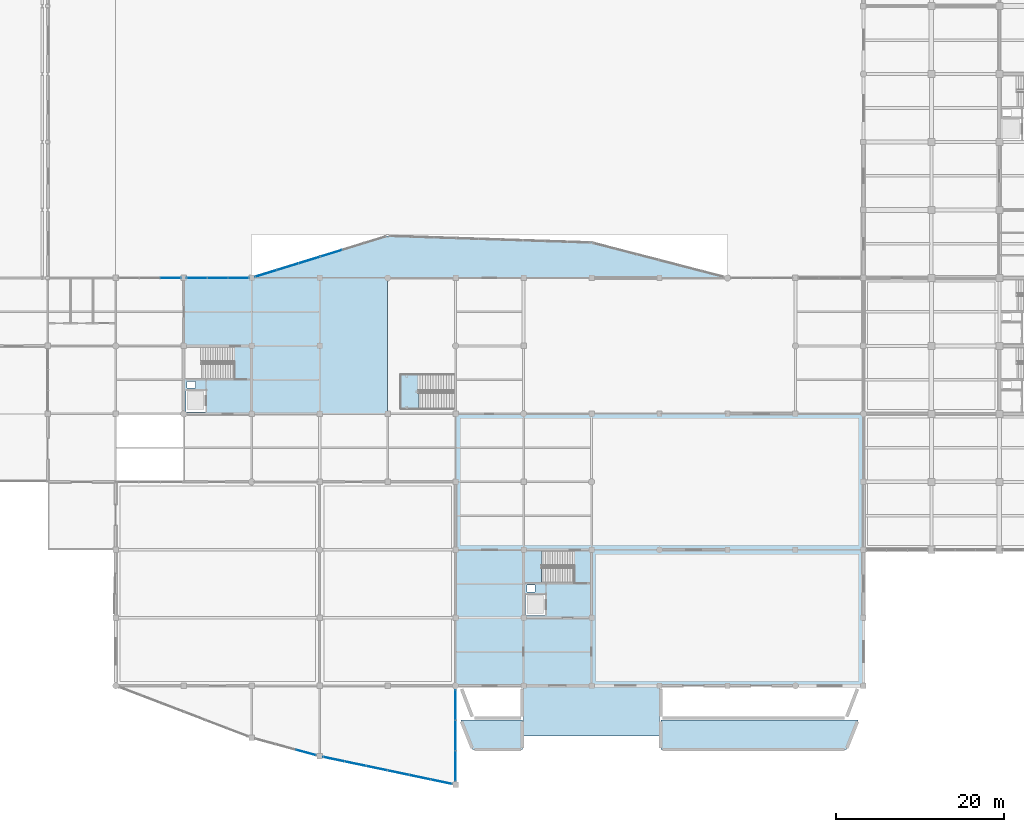
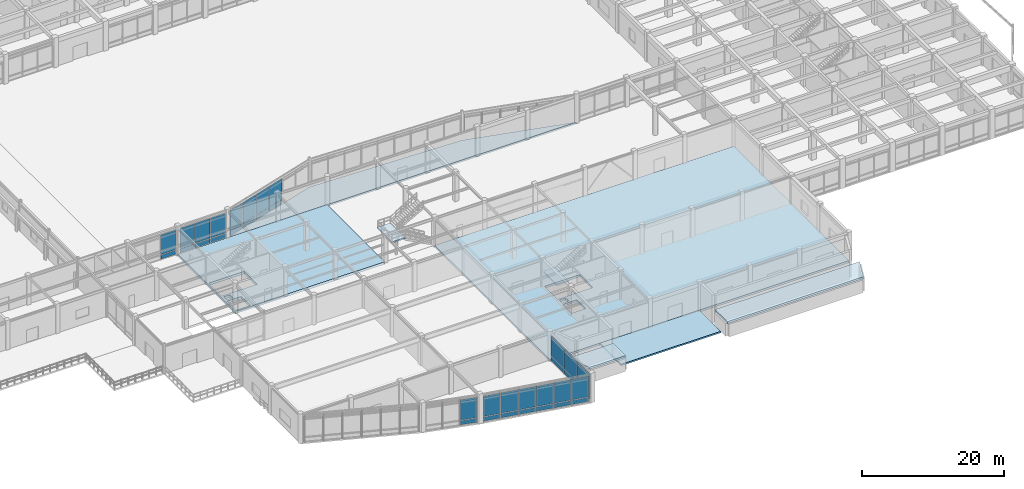
# One storey, part 51 of 99: 36 plates, 8 slabs, 10 elements without a shape of their own.
"""IFC4 building model written with IfcOpenShell, lengths in metres."""

from ifc_helpers import new_model, si_unit, direction, frame, origin, origin_2d, place, context, subcontext, project, spatial, polyline, rectangle, outline, extrude, material, layer, layer_set, type_object, element, aggregate, save


model = new_model("IFC4")

# Units and contexts
model_context = context("Model", 3, precision=1e-05, world=origin(), true_north=direction((0.0, 1.0)))
body_context = subcontext(model_context, "Body", "Model", "MODEL_VIEW")
ifc_project = project(units=[si_unit("LENGTHUNIT", "METRE"), si_unit("AREAUNIT", "SQUARE_METRE"), si_unit("VOLUMEUNIT", "CUBIC_METRE"), si_unit("PLANEANGLEUNIT", "RADIAN"), si_unit("MASSUNIT", "GRAM", prefix="KILO")], contexts=[model_context])

# Site, building, storey
site_placement = place(None, origin())
site = spatial("IfcSite", under=ifc_project, at=site_placement, CompositionType="ELEMENT")
building_placement = place(site_placement, origin())
building = spatial("IfcBuilding", under=site, at=building_placement, Name="Vaudrelin Polytechnic", CompositionType="ELEMENT")
storey_placement = place(building_placement, origin())
storey = spatial("IfcBuildingStorey", under=building, at=storey_placement, Name="L00", CompositionType="ELEMENT", Elevation=0.0)

# Curtain wall, plate
ifc_material_1 = material(Name="Thermally broken anodised aluminium AA 6063-T6 and low-e triple glazing", Category="aluminium")
ifc_layer_1 = layer(ifc_material_1, 0.199951171875)
ifc_layer_set_1 = layer_set([ifc_layer_1], Name="Thermally broken anodised aluminium AA 6063-T6 and low-e triple glazing")
curtain_wall_type = type_object("IfcCurtainWallType", Name="CW-CW-WG", PredefinedType="USERDEFINED", material=ifc_layer_set_1)
curtain_wall_1_placement = place(storey_placement, origin())
curtain_wall_1 = element("IfcCurtainWall", 1, at=curtain_wall_1_placement, inside=storey, type_object=curtain_wall_type, Name="Curtain wall L00 CT_S_00", ObjectType="CURTAIN WALL", PredefinedType="USERDEFINED")
ifc_material_2 = material(Name="Insulated ceramic-frit spandrel glass panel", Category="glass")
ifc_layer_2 = layer(ifc_material_2, 0.052001953125)
ifc_layer_set_2 = layer_set([ifc_layer_2], Name="Insulated ceramic-frit spandrel glass panel")
plate_type_1 = type_object("IfcPlateType", Name="PLT-GLZ-SPAND", PredefinedType="CURTAIN_PANEL", material=ifc_layer_set_2)
plate_1_placement = place(storey_placement, frame((47.03466796875, 48.60009765625, 0.08984375), z_axis=(0.0, 0.0, 1.0), x_axis=(1.0, 0.0, 0.0)))
plate_1 = element("IfcPlate", 2, at=plate_1_placement, type_object=plate_type_1, Name="CT_S_00 spandrel panel 3", PredefinedType="CURTAIN_PANEL", context=body_context, shape_type="SweptSolid", body=[
    extrude(rectangle(XDim=2.384765625, YDim=0.052001953125, at=origin_2d()), origin(), (0.0, 0.0, 1.0), 0.699951171875),
])

# Curtain wall, plates
curtain_wall_2_placement = place(storey_placement, origin())
curtain_wall_2 = element("IfcCurtainWall", 3, at=curtain_wall_2_placement, inside=storey, type_object=curtain_wall_type, Name="Curtain wall L00 CT_S_01", ObjectType="CURTAIN WALL", PredefinedType="USERDEFINED")
plate_2_placement = place(storey_placement, frame((50.165283203125, 48.60009765625, 0.08984375), z_axis=(0.0, 0.0, 1.0), x_axis=(1.0, 0.0, 0.0)))
plate_2 = element("IfcPlate", 4, at=plate_2_placement, type_object=plate_type_1, Name="CT_S_01 spandrel panel 1", PredefinedType="CURTAIN_PANEL", context=body_context, shape_type="SweptSolid", body=[
    extrude(rectangle(XDim=2.384765625, YDim=0.052001953125, at=origin_2d()), origin(), (0.0, 0.0, 1.0), 0.699951171875),
])
plate_3_placement = place(storey_placement, frame((52.64990234375, 48.60009765625, 0.08984375), z_axis=(0.0, 0.0, 1.0), x_axis=(1.0, 0.0, 0.0)))
plate_3 = element("IfcPlate", 5, at=plate_3_placement, type_object=plate_type_1, Name="CT_S_01 spandrel panel 2", PredefinedType="CURTAIN_PANEL", context=body_context, shape_type="SweptSolid", body=[
    extrude(rectangle(XDim=2.384765625, YDim=0.052001953125, at=origin_2d()), origin(), (0.0, 0.0, 1.0), 0.699951171875),
])
plate_4_placement = place(storey_placement, frame((55.134765625, 48.60009765625, 0.08984375), z_axis=(0.0, 0.0, 1.0), x_axis=(1.0, 0.0, 0.0)))
plate_4 = element("IfcPlate", 6, at=plate_4_placement, type_object=plate_type_1, Name="CT_S_01 spandrel panel 3", PredefinedType="CURTAIN_PANEL", context=body_context, shape_type="SweptSolid", body=[
    extrude(rectangle(XDim=2.384765625, YDim=0.052001953125, at=origin_2d()), origin(), (0.0, 0.0, 1.0), 0.699951171875),
])

# Curtain wall, plate
curtain_wall_3_placement = place(storey_placement, origin())
curtain_wall_3 = element("IfcCurtainWall", 7, at=curtain_wall_3_placement, inside=storey, type_object=curtain_wall_type, Name="Curtain wall L00 V2P_2_0", ObjectType="CURTAIN WALL", PredefinedType="USERDEFINED")
plate_5_placement = place(storey_placement, frame((63.1787109375, -7.959716796875, 0.08984375), z_axis=(0.0, 0.0, 1.0), x_axis=(0.965042039381, -0.26209513965, 0.0)))
plate_5 = element("IfcPlate", 8, at=plate_5_placement, type_object=plate_type_1, Name="V2P_2_0 spandrel panel 3", PredefinedType="CURTAIN_PANEL", context=body_context, shape_type="SweptSolid", body=[
    extrude(rectangle(XDim=2.41650390625, YDim=0.052001953125, at=origin_2d()), origin(), (0.0, 0.0, 1.0), 0.699951171875),
])

# Curtain wall, plates
curtain_wall_4_placement = place(storey_placement, origin())
curtain_wall_4 = element("IfcCurtainWall", 9, at=curtain_wall_4_placement, inside=storey, type_object=curtain_wall_type, Name="Curtain wall L00 V2P_3_0", ObjectType="CURTAIN WALL", PredefinedType="USERDEFINED")
plate_6_placement = place(storey_placement, frame((66.490234375, -8.754638671875, 0.08984375), z_axis=(0.0, 0.0, 1.0), x_axis=(0.978678517459, -0.205398051265, 0.0)))
plate_6 = element("IfcPlate", 10, at=plate_6_placement, type_object=plate_type_1, Name="V2P_3_0 spandrel panel 1", PredefinedType="CURTAIN_PANEL", context=body_context, shape_type="SweptSolid", body=[
    extrude(rectangle(XDim=2.519775390625, YDim=0.052001953125, at=origin_2d()), origin(), (0.0, 0.0, 1.0), 0.699951171875),
])
plate_7_placement = place(storey_placement, frame((69.05419921875, -9.292724609375, 0.08984375), z_axis=(0.0, 0.0, 1.0), x_axis=(0.978678517459, -0.205398051265, 0.0)))
plate_7 = element("IfcPlate", 11, at=plate_7_placement, type_object=plate_type_1, Name="V2P_3_0 spandrel panel 2", PredefinedType="CURTAIN_PANEL", context=body_context, shape_type="SweptSolid", body=[
    extrude(rectangle(XDim=2.519775390625, YDim=0.052001953125, at=origin_2d()), origin(), (0.0, 0.0, 1.0), 0.699951171875),
])
plate_8_placement = place(storey_placement, frame((71.617919921875, -9.830810546875, 0.08984375), z_axis=(0.0, 0.0, 1.0), x_axis=(0.978678517459, -0.205398051265, 0.0)))
plate_8 = element("IfcPlate", 12, at=plate_8_placement, type_object=plate_type_1, Name="V2P_3_0 spandrel panel 3", PredefinedType="CURTAIN_PANEL", context=body_context, shape_type="SweptSolid", body=[
    extrude(rectangle(XDim=2.519775390625, YDim=0.052001953125, at=origin_2d()), origin(), (0.0, 0.0, 1.0), 0.699951171875),
])

curtain_wall_5_placement = place(storey_placement, origin())
curtain_wall_5 = element("IfcCurtainWall", 13, at=curtain_wall_5_placement, inside=storey, type_object=curtain_wall_type, Name="Curtain wall L00 V2P_3_1", ObjectType="CURTAIN WALL", PredefinedType="USERDEFINED")
plate_9_placement = place(storey_placement, frame((74.181884765625, -10.368896484375, 0.08984375), z_axis=(0.0, 0.0, 1.0), x_axis=(0.978678517459, -0.205398051265, 0.0)))
plate_9 = element("IfcPlate", 14, at=plate_9_placement, type_object=plate_type_1, Name="V2P_3_1 spandrel panel 1", PredefinedType="CURTAIN_PANEL", context=body_context, shape_type="SweptSolid", body=[
    extrude(rectangle(XDim=2.519775390625, YDim=0.052001953125, at=origin_2d()), origin(), (0.0, 0.0, 1.0), 0.699951171875),
])
plate_10_placement = place(storey_placement, frame((76.745849609375, -10.906982421875, 0.08984375), z_axis=(0.0, 0.0, 1.0), x_axis=(0.978678517459, -0.205398051265, 0.0)))
plate_10 = element("IfcPlate", 15, at=plate_10_placement, type_object=plate_type_1, Name="V2P_3_1 spandrel panel 2", PredefinedType="CURTAIN_PANEL", context=body_context, shape_type="SweptSolid", body=[
    extrude(rectangle(XDim=2.519775390625, YDim=0.052001953125, at=origin_2d()), origin(), (0.0, 0.0, 1.0), 0.699951171875),
])
plate_11_placement = place(storey_placement, frame((79.309814453125, -11.4453125, 0.08984375), z_axis=(0.0, 0.0, 1.0), x_axis=(0.978678517459, -0.205398051265, 0.0)))
plate_11 = element("IfcPlate", 16, at=plate_11_placement, type_object=plate_type_1, Name="V2P_3_1 spandrel panel 3", PredefinedType="CURTAIN_PANEL", context=body_context, shape_type="SweptSolid", body=[
    extrude(rectangle(XDim=2.519775390625, YDim=0.052001953125, at=origin_2d()), origin(), (0.0, 0.0, 1.0), 0.699951171875),
])

curtain_wall_6_placement = place(storey_placement, origin())
curtain_wall_6 = element("IfcCurtainWall", 17, at=curtain_wall_6_placement, inside=storey, type_object=curtain_wall_type, Name="Curtain wall L00 V2P_4_0", ObjectType="CURTAIN WALL", PredefinedType="USERDEFINED")
plate_12_placement = place(storey_placement, frame((81.0, -9.568359375, 0.08984375), z_axis=(0.0, 0.0, 1.0), x_axis=(0.0, 1.0, 0.0)))
plate_12 = element("IfcPlate", 18, at=plate_12_placement, type_object=plate_type_1, Name="V2P_4_0 spandrel panel 1", PredefinedType="CURTAIN_PANEL", context=body_context, shape_type="SweptSolid", body=[
    extrude(rectangle(XDim=3.543212890625, YDim=0.052001953125, at=origin_2d()), origin(), (0.0, 0.0, 1.0), 0.699951171875),
])
plate_13_placement = place(storey_placement, frame((81.0, -5.925048828125, 0.08984375), z_axis=(0.0, 0.0, 1.0), x_axis=(0.0, 1.0, 0.0)))
plate_13 = element("IfcPlate", 19, at=plate_13_placement, type_object=plate_type_1, Name="V2P_4_0 spandrel panel 2", PredefinedType="CURTAIN_PANEL", context=body_context, shape_type="SweptSolid", body=[
    extrude(rectangle(XDim=3.543212890625, YDim=0.052001953125, at=origin_2d()), origin(), (0.0, 0.0, 1.0), 0.699951171875),
])
plate_14_placement = place(storey_placement, frame((81.0, -2.28173828125, 0.08984375), z_axis=(0.0, 0.0, 1.0), x_axis=(0.0, 1.0, 0.0)))
plate_14 = element("IfcPlate", 20, at=plate_14_placement, type_object=plate_type_1, Name="V2P_4_0 spandrel panel 3", PredefinedType="CURTAIN_PANEL", context=body_context, shape_type="SweptSolid", body=[
    extrude(rectangle(XDim=3.543212890625, YDim=0.052001953125, at=origin_2d()), origin(), (0.0, 0.0, 1.0), 0.699951171875),
])

curtain_wall_7_placement = place(storey_placement, origin())
curtain_wall_7 = element("IfcCurtainWall", 21, at=curtain_wall_7_placement, inside=storey, type_object=curtain_wall_type, Name="Curtain wall L00 CT_OR1_1_0", ObjectType="CURTAIN WALL", PredefinedType="USERDEFINED")
plate_15_placement = place(storey_placement, frame((58.40283203125, 49.12548828125, 0.08984375), z_axis=(0.0, 0.0, 1.0), x_axis=(0.95552585244, 0.294907350399, 0.0)))
plate_15 = element("IfcPlate", 22, at=plate_15_placement, type_object=plate_type_1, Name="CT_OR1_1_0 spandrel panel 1", PredefinedType="CURTAIN_PANEL", context=body_context, shape_type="SweptSolid", body=[
    extrude(rectangle(XDim=2.614013671875, YDim=0.052001953125, at=origin_2d()), origin(), (0.0, 0.0, 1.0), 0.699951171875),
])
plate_16_placement = place(storey_placement, frame((60.996337890625, 49.926025390625, 0.08984375), z_axis=(0.0, 0.0, 1.0), x_axis=(0.95552585244, 0.294907350399, 0.0)))
plate_16 = element("IfcPlate", 23, at=plate_16_placement, type_object=plate_type_1, Name="CT_OR1_1_0 spandrel panel 2", PredefinedType="CURTAIN_PANEL", context=body_context, shape_type="SweptSolid", body=[
    extrude(rectangle(XDim=2.614013671875, YDim=0.052001953125, at=origin_2d()), origin(), (0.0, 0.0, 1.0), 0.699951171875),
])
plate_17_placement = place(storey_placement, frame((63.589599609375, 50.726318359375, 0.08984375), z_axis=(0.0, 0.0, 1.0), x_axis=(0.95552585244, 0.294907350399, 0.0)))
plate_17 = element("IfcPlate", 24, at=plate_17_placement, type_object=plate_type_1, Name="CT_OR1_1_0 spandrel panel 3", PredefinedType="CURTAIN_PANEL", context=body_context, shape_type="SweptSolid", body=[
    extrude(rectangle(XDim=2.614013671875, YDim=0.052001953125, at=origin_2d()), origin(), (0.0, 0.0, 1.0), 0.699951171875),
])

# Curtain wall, plate
curtain_wall_8_placement = place(storey_placement, origin())
curtain_wall_8 = element("IfcCurtainWall", 25, at=curtain_wall_8_placement, inside=storey, type_object=curtain_wall_type, Name="Curtain wall L00 CT_OR1_1_1", ObjectType="CURTAIN WALL", PredefinedType="USERDEFINED")
plate_18_placement = place(storey_placement, frame((66.18310546875, 51.52685546875, 0.08984375), z_axis=(0.0, 0.0, 1.0), x_axis=(0.955521323277, 0.294922024887, 0.0)))
plate_18 = element("IfcPlate", 26, at=plate_18_placement, type_object=plate_type_1, Name="CT_OR1_1_1 spandrel panel 1", PredefinedType="CURTAIN_PANEL", context=body_context, shape_type="SweptSolid", body=[
    extrude(rectangle(XDim=2.614013671875, YDim=0.052001953125, at=origin_2d()), origin(), (0.0, 0.0, 1.0), 0.699951171875),
])

# Plate
ifc_material_3 = material(Name="Triple low-e argon insulated glazing unit", Category="glass")
ifc_layer_3 = layer(ifc_material_3, 0.0439453125)
ifc_layer_set_3 = layer_set([ifc_layer_3], Name="Triple low-e argon insulated glazing unit")
plate_type_2 = type_object("IfcPlateType", Name="PLT-GLZ-TRIPLE", PredefinedType="CURTAIN_PANEL", material=ifc_layer_set_3)
plate_19_placement = place(storey_placement, frame((47.03466796875, 48.60009765625, 0.900146484375), z_axis=(0.0, 0.0, 1.0), x_axis=(1.0, 0.0, 0.0)))
plate_19 = element("IfcPlate", 27, at=plate_19_placement, type_object=plate_type_2, Name="CT_S_00 vision panel 3", PredefinedType="CURTAIN_PANEL", context=body_context, shape_type="SweptSolid", body=[
    extrude(rectangle(XDim=2.384765625, YDim=0.0439453125, at=origin_2d()), origin(), (0.0, 0.0, 1.0), 3.35888671875),
])

aggregate(curtain_wall_1, [plate_1, plate_19])

plate_20_placement = place(storey_placement, frame((50.165283203125, 48.60009765625, 0.89990234375), z_axis=(0.0, 0.0, 1.0), x_axis=(1.0, 0.0, 0.0)))
plate_20 = element("IfcPlate", 28, at=plate_20_placement, type_object=plate_type_2, Name="CT_S_01 vision panel 1", PredefinedType="CURTAIN_PANEL", context=body_context, shape_type="SweptSolid", body=[
    extrude(rectangle(XDim=2.384765625, YDim=0.0439453125, at=origin_2d()), origin(), (0.0, 0.0, 1.0), 3.406982421875),
])

plate_21_placement = place(storey_placement, frame((52.64990234375, 48.60009765625, 0.89990234375), z_axis=(0.0, 0.0, 1.0), x_axis=(1.0, 0.0, 0.0)))
plate_21 = element("IfcPlate", 29, at=plate_21_placement, type_object=plate_type_2, Name="CT_S_01 vision panel 2", PredefinedType="CURTAIN_PANEL", context=body_context, shape_type="SweptSolid", body=[
    extrude(rectangle(XDim=2.384765625, YDim=0.0439453125, at=origin_2d()), origin(), (0.0, 0.0, 1.0), 3.406982421875),
])

plate_22_placement = place(storey_placement, frame((55.134765625, 48.60009765625, 0.89990234375), z_axis=(0.0, 0.0, 1.0), x_axis=(1.0, 0.0, 0.0)))
plate_22 = element("IfcPlate", 30, at=plate_22_placement, type_object=plate_type_2, Name="CT_S_01 vision panel 3", PredefinedType="CURTAIN_PANEL", context=body_context, shape_type="SweptSolid", body=[
    extrude(rectangle(XDim=2.384765625, YDim=0.0439453125, at=origin_2d()), origin(), (0.0, 0.0, 1.0), 3.406982421875),
])

aggregate(curtain_wall_2, [plate_2, plate_20, plate_3, plate_21, plate_4, plate_22])

plate_23_placement = place(storey_placement, frame((63.1787109375, -7.959716796875, 0.89990234375), z_axis=(0.0, 0.0, 1.0), x_axis=(0.965042039381, -0.26209513965, 0.0)))
plate_23 = element("IfcPlate", 31, at=plate_23_placement, type_object=plate_type_2, Name="V2P_2_0 vision panel 3", PredefinedType="CURTAIN_PANEL", context=body_context, shape_type="SweptSolid", body=[
    extrude(rectangle(XDim=2.41650390625, YDim=0.0439453125, at=origin_2d()), origin(), (0.0, 0.0, 1.0), 3.489990234375),
])

aggregate(curtain_wall_3, [plate_5, plate_23])

plate_24_placement = place(storey_placement, frame((66.490234375, -8.754638671875, 0.89990234375), z_axis=(0.0, 0.0, 1.0), x_axis=(0.978678517459, -0.205398051265, 0.0)))
plate_24 = element("IfcPlate", 32, at=plate_24_placement, type_object=plate_type_2, Name="V2P_3_0 vision panel 1", PredefinedType="CURTAIN_PANEL", context=body_context, shape_type="SweptSolid", body=[
    extrude(rectangle(XDim=2.519775390625, YDim=0.0439453125, at=origin_2d()), origin(), (0.0, 0.0, 1.0), 3.489990234375),
])

plate_25_placement = place(storey_placement, frame((69.05419921875, -9.292724609375, 0.89990234375), z_axis=(0.0, 0.0, 1.0), x_axis=(0.978678517459, -0.205398051265, 0.0)))
plate_25 = element("IfcPlate", 33, at=plate_25_placement, type_object=plate_type_2, Name="V2P_3_0 vision panel 2", PredefinedType="CURTAIN_PANEL", context=body_context, shape_type="SweptSolid", body=[
    extrude(rectangle(XDim=2.519775390625, YDim=0.0439453125, at=origin_2d()), origin(), (0.0, 0.0, 1.0), 3.489990234375),
])

plate_26_placement = place(storey_placement, frame((71.617919921875, -9.830810546875, 0.89990234375), z_axis=(0.0, 0.0, 1.0), x_axis=(0.978678517459, -0.205398051265, 0.0)))
plate_26 = element("IfcPlate", 34, at=plate_26_placement, type_object=plate_type_2, Name="V2P_3_0 vision panel 3", PredefinedType="CURTAIN_PANEL", context=body_context, shape_type="SweptSolid", body=[
    extrude(rectangle(XDim=2.519775390625, YDim=0.0439453125, at=origin_2d()), origin(), (0.0, 0.0, 1.0), 3.489990234375),
])

aggregate(curtain_wall_4, [plate_6, plate_24, plate_7, plate_25, plate_8, plate_26])

plate_27_placement = place(storey_placement, frame((74.181884765625, -10.368896484375, 0.89990234375), z_axis=(0.0, 0.0, 1.0), x_axis=(0.978678517459, -0.205398051265, 0.0)))
plate_27 = element("IfcPlate", 35, at=plate_27_placement, type_object=plate_type_2, Name="V2P_3_1 vision panel 1", PredefinedType="CURTAIN_PANEL", context=body_context, shape_type="SweptSolid", body=[
    extrude(rectangle(XDim=2.519775390625, YDim=0.0439453125, at=origin_2d()), origin(), (0.0, 0.0, 1.0), 3.489990234375),
])

plate_28_placement = place(storey_placement, frame((76.745849609375, -10.906982421875, 0.89990234375), z_axis=(0.0, 0.0, 1.0), x_axis=(0.978678517459, -0.205398051265, 0.0)))
plate_28 = element("IfcPlate", 36, at=plate_28_placement, type_object=plate_type_2, Name="V2P_3_1 vision panel 2", PredefinedType="CURTAIN_PANEL", context=body_context, shape_type="SweptSolid", body=[
    extrude(rectangle(XDim=2.519775390625, YDim=0.0439453125, at=origin_2d()), origin(), (0.0, 0.0, 1.0), 3.489990234375),
])

plate_29_placement = place(storey_placement, frame((79.309814453125, -11.4453125, 0.89990234375), z_axis=(0.0, 0.0, 1.0), x_axis=(0.978678517459, -0.205398051265, 0.0)))
plate_29 = element("IfcPlate", 37, at=plate_29_placement, type_object=plate_type_2, Name="V2P_3_1 vision panel 3", PredefinedType="CURTAIN_PANEL", context=body_context, shape_type="SweptSolid", body=[
    extrude(rectangle(XDim=2.519775390625, YDim=0.0439453125, at=origin_2d()), origin(), (0.0, 0.0, 1.0), 3.489990234375),
])

aggregate(curtain_wall_5, [plate_9, plate_27, plate_10, plate_28, plate_11, plate_29])

plate_30_placement = place(storey_placement, frame((81.0, -9.568359375, 0.89990234375), z_axis=(0.0, 0.0, 1.0), x_axis=(0.0, 1.0, 0.0)))
plate_30 = element("IfcPlate", 38, at=plate_30_placement, type_object=plate_type_2, Name="V2P_4_0 vision panel 1", PredefinedType="CURTAIN_PANEL", context=body_context, shape_type="SweptSolid", body=[
    extrude(rectangle(XDim=3.543212890625, YDim=0.0439453125, at=origin_2d()), origin(), (0.0, 0.0, 1.0), 3.489990234375),
])

plate_31_placement = place(storey_placement, frame((81.0, -5.925048828125, 0.89990234375), z_axis=(0.0, 0.0, 1.0), x_axis=(0.0, 1.0, 0.0)))
plate_31 = element("IfcPlate", 39, at=plate_31_placement, type_object=plate_type_2, Name="V2P_4_0 vision panel 2", PredefinedType="CURTAIN_PANEL", context=body_context, shape_type="SweptSolid", body=[
    extrude(rectangle(XDim=3.543212890625, YDim=0.0439453125, at=origin_2d()), origin(), (0.0, 0.0, 1.0), 3.489990234375),
])

plate_32_placement = place(storey_placement, frame((81.0, -2.28173828125, 0.89990234375), z_axis=(0.0, 0.0, 1.0), x_axis=(0.0, 1.0, 0.0)))
plate_32 = element("IfcPlate", 40, at=plate_32_placement, type_object=plate_type_2, Name="V2P_4_0 vision panel 3", PredefinedType="CURTAIN_PANEL", context=body_context, shape_type="SweptSolid", body=[
    extrude(rectangle(XDim=3.543212890625, YDim=0.0439453125, at=origin_2d()), origin(), (0.0, 0.0, 1.0), 3.489990234375),
])

aggregate(curtain_wall_6, [plate_12, plate_30, plate_13, plate_31, plate_14, plate_32])

plate_33_placement = place(storey_placement, frame((58.40283203125, 49.12548828125, 0.89990234375), z_axis=(0.0, 0.0, 1.0), x_axis=(0.95552585244, 0.294907350399, 0.0)))
plate_33 = element("IfcPlate", 41, at=plate_33_placement, type_object=plate_type_2, Name="CT_OR1_1_0 vision panel 1", PredefinedType="CURTAIN_PANEL", context=body_context, shape_type="SweptSolid", body=[
    extrude(rectangle(XDim=2.614013671875, YDim=0.0439453125, at=origin_2d()), origin(), (0.0, 0.0, 1.0), 3.489990234375),
])

plate_34_placement = place(storey_placement, frame((60.996337890625, 49.926025390625, 0.89990234375), z_axis=(0.0, 0.0, 1.0), x_axis=(0.95552585244, 0.294907350399, 0.0)))
plate_34 = element("IfcPlate", 42, at=plate_34_placement, type_object=plate_type_2, Name="CT_OR1_1_0 vision panel 2", PredefinedType="CURTAIN_PANEL", context=body_context, shape_type="SweptSolid", body=[
    extrude(rectangle(XDim=2.614013671875, YDim=0.0439453125, at=origin_2d()), origin(), (0.0, 0.0, 1.0), 3.489990234375),
])

plate_35_placement = place(storey_placement, frame((63.589599609375, 50.726318359375, 0.89990234375), z_axis=(0.0, 0.0, 1.0), x_axis=(0.95552585244, 0.294907350399, 0.0)))
plate_35 = element("IfcPlate", 43, at=plate_35_placement, type_object=plate_type_2, Name="CT_OR1_1_0 vision panel 3", PredefinedType="CURTAIN_PANEL", context=body_context, shape_type="SweptSolid", body=[
    extrude(rectangle(XDim=2.614013671875, YDim=0.0439453125, at=origin_2d()), origin(), (0.0, 0.0, 1.0), 3.489990234375),
])

aggregate(curtain_wall_7, [plate_15, plate_33, plate_16, plate_34, plate_17, plate_35])

plate_36_placement = place(storey_placement, frame((66.18310546875, 51.52685546875, 0.89990234375), z_axis=(0.0, 0.0, 1.0), x_axis=(0.955521323277, 0.294922024887, 0.0)))
plate_36 = element("IfcPlate", 44, at=plate_36_placement, type_object=plate_type_2, Name="CT_OR1_1_1 vision panel 1", PredefinedType="CURTAIN_PANEL", context=body_context, shape_type="SweptSolid", body=[
    extrude(rectangle(XDim=2.614013671875, YDim=0.0439453125, at=origin_2d()), origin(), (0.0, 0.0, 1.0), 3.489990234375),
])

aggregate(curtain_wall_8, [plate_18, plate_36])

# Stair, slab
ifc_material_4 = material(Name="Concrete 35 MPa", Category="concrete")
stair_type_1 = type_object("IfcStairType", Name="STR-ST-CORE", PredefinedType="TWO_STRAIGHT_RUN_STAIR", material=ifc_material_4)
stair_1_placement = place(storey_placement, origin())
stair_1 = element("IfcStair", 45, at=stair_1_placement, inside=storey, type_object=stair_type_1, Name="Exit stair ST-05-L00", PredefinedType="TWO_STRAIGHT_RUN_STAIR")
ifc_layer_4 = layer(ifc_material_4, 0.219970703125)
ifc_layer_set_4 = layer_set([ifc_layer_4], Name="Concrete 35 MPa")
slab_type_1 = type_object("IfcSlabType", Name="SLB-LND220", PredefinedType="LANDING", material=ifc_layer_set_4)
slab_1_placement = place(storey_placement, frame((0.0, 0.0, 2.330078125)))
slab_1 = element("IfcSlab", 46, at=slab_1_placement, type_object=slab_type_1, Name="ST-05-L00 landing 1", PredefinedType="LANDING", context=body_context, shape_type="SweptSolid", body=[
    extrude(outline(polyline([(89.239990234375, 12.260009765625), (91.2099609375, 12.260009765625), (91.2099609375, 16.10009765625), (89.239990234375, 16.10009765625), (89.239990234375, 12.260009765625)])), origin(), (0.0, 0.0, 1.0), 0.219970703125),
])
aggregate(stair_1, [slab_1])

ifc_material_5 = material(Name="Steel Grade 350 (CSA G40.21 350W)", Category="steel")
stair_type_2 = type_object("IfcStairType", Name="STR-ST-FEAT", PredefinedType="TWO_STRAIGHT_RUN_STAIR", material=ifc_material_5)
stair_2_placement = place(storey_placement, origin())
stair_2 = element("IfcStair", 47, at=stair_2_placement, inside=storey, type_object=stair_type_2, Name="Feature stair ST-WG1", PredefinedType="TWO_STRAIGHT_RUN_STAIR")
slab_2_placement = place(storey_placement, frame((0.0, 0.0, 2.330078125)))
slab_2 = element("IfcSlab", 48, at=slab_2_placement, type_object=slab_type_1, Name="ST-WG1 landing 1", PredefinedType="LANDING", context=body_context, shape_type="SweptSolid", body=[
    extrude(outline(polyline([(74.39990234375, 32.949951171875), (76.550048828125, 32.949951171875), (76.550048828125, 37.14990234375), (74.39990234375, 37.14990234375), (74.39990234375, 32.949951171875)])), origin(), (0.0, 0.0, 1.0), 0.219970703125),
])
aggregate(stair_2, [slab_2])

# Slabs
ifc_layer_5 = layer(ifc_material_4, 0.360107421875)
ifc_layer_set_5 = layer_set([ifc_layer_5], Name="Concrete 35 MPa")
slab_type_2 = type_object("IfcSlabType", Name="SLB-SL-BRM360", PredefinedType="ROOF", material=ifc_layer_set_5)
slab_3_placement = place(storey_placement, frame((0.0, 0.0, 2.18994140625)))
element("IfcSlab", 49, at=slab_3_placement, inside=storey, type_object=slab_type_2, Name="Refectory stepped green-hill lawn terrace WEST-1", PredefinedType="ROOF", context=body_context, shape_type="SweptSolid", body=[
    extrude(outline(polyline([(83.050048828125, -7.60009765625), (88.949951171875, -7.60009765625), (88.949951171875, -4.10009765625), (81.64990234375, -4.10009765625), (83.050048828125, -7.60009765625)])), origin(), (0.0, 0.0, 1.0), 0.360107421875),
])
slab_4_placement = place(storey_placement, frame((0.0, 0.0, 2.18994140625)))
element("IfcSlab", 50, at=slab_4_placement, inside=storey, type_object=slab_type_2, Name="Refectory stepped green-hill lawn terrace EAST-1", PredefinedType="ROOF", context=body_context, shape_type="SweptSolid", body=[
    extrude(outline(polyline([(105.449951171875, -7.60009765625), (127.550048828125, -7.60009765625), (128.949951171875, -4.10009765625), (105.449951171875, -4.10009765625), (105.449951171875, -7.60009765625)])), origin(), (0.0, 0.0, 1.0), 0.360107421875),
])
ifc_layer_6 = layer(ifc_material_4, 0.320068359375)
ifc_layer_set_6 = layer_set([ifc_layer_6], Name="Concrete 35 MPa")
slab_type_3 = type_object("IfcSlabType", Name="SLB-SL-F320", PredefinedType="FLOOR", material=ifc_layer_set_6)
slab_5_placement = place(storey_placement, frame((0.0, 0.0, -0.320068359375)))
element("IfcSlab", 51, at=slab_5_placement, inside=storey, type_object=slab_type_3, Name="Deconstructivist splayed wing pod CT_OR1 L00", PredefinedType="FLOOR", context=body_context, shape_type="SweptSolid", body=[
    extrude(outline(polyline([(56.699951171875, 48.60009765625), (72.89990234375, 53.60009765625), (97.199951171875, 52.800048828125), (113.39990234375, 48.60009765625), (56.699951171875, 48.60009765625)])), origin(), (0.0, 0.0, 1.0), 0.320068359375),
])
ifc_layer_7 = layer(ifc_material_4, 0.360107421875)
ifc_layer_set_7 = layer_set([ifc_layer_7], Name="Concrete 35 MPa")
slab_type_4 = type_object("IfcSlabType", Name="SLB-SL-F360", PredefinedType="FLOOR", material=ifc_layer_set_7)
slab_6_placement = place(storey_placement, frame((0.0, 0.0, -0.360107421875)))
element("IfcSlab", 52, at=slab_6_placement, inside=storey, type_object=slab_type_4, Name="L00 floor slab V3-REF", PredefinedType="FLOOR", context=body_context, shape_type="SweptSolid", body=[
    extrude(outline(polyline([(81.0, 0.0), (129.60009765625, 0.0), (129.60009765625, 32.39990234375), (81.0, 32.39990234375), (81.0, 0.0)]), holes=[polyline([(89.35009765625, 12.31005859375), (95.10009765625, 12.31005859375), (95.10009765625, 15.949951171875), (89.35009765625, 15.949951171875), (89.35009765625, 12.31005859375)]), polyline([(89.35009765625, 8.35009765625), (91.679931640625, 8.35009765625), (91.679931640625, 10.830078125), (89.35009765625, 10.830078125), (89.35009765625, 8.35009765625)]), polyline([(89.47998046875, 11.179931640625), (90.47998046875, 11.179931640625), (90.47998046875, 11.97998046875), (89.47998046875, 11.97998046875), (89.47998046875, 11.179931640625)])]), origin(), (0.0, 0.0, 1.0), 0.360107421875),
])
ifc_layer_8 = layer(ifc_material_4, 0.2548828125)
ifc_layer_set_8 = layer_set([ifc_layer_8], Name="Concrete 35 MPa")
slab_type_5 = type_object("IfcSlabType", Name="SLB-SL-PLZ200", PredefinedType="FLOOR", material=ifc_layer_set_8)
slab_7_placement = place(storey_placement, frame((0.0, 0.0, -0.2548828125)))
element("IfcSlab", 53, at=slab_7_placement, inside=storey, type_object=slab_type_5, Name="L00 plaza slab AP-SOUTH", PredefinedType="FLOOR", context=body_context, shape_type="SweptSolid", body=[
    extrude(outline(polyline([(89.10009765625, -6.0), (105.300048828125, -6.0), (105.300048828125, 0.0), (89.10009765625, 0.0), (89.10009765625, -6.0)])), origin(), (0.0, 0.0, 1.0), 0.2548828125),
])
ifc_material_6 = material(Name="Concrete 40 MPa", Category="concrete")
ifc_layer_9 = layer(ifc_material_6, 0.419921875)
ifc_layer_set_9 = layer_set([ifc_layer_9], Name="Concrete 40 MPa")
slab_type_6 = type_object("IfcSlabType", Name="SLB-SL-TRF420", PredefinedType="FLOOR", material=ifc_layer_set_9)
slab_8_placement = place(storey_placement, frame((0.0, 0.0, -0.419921875)))
element("IfcSlab", 54, at=slab_8_placement, inside=storey, type_object=slab_type_6, Name="L00 floor slab V6-METRO", PredefinedType="FLOOR", context=body_context, shape_type="SweptSolid", body=[
    extrude(outline(polyline([(48.60009765625, 32.39990234375), (72.89990234375, 32.39990234375), (72.89990234375, 48.60009765625), (48.60009765625, 48.60009765625), (48.60009765625, 32.39990234375)]), holes=[polyline([(48.85009765625, 36.610107421875), (54.60009765625, 36.610107421875), (54.60009765625, 40.25), (48.85009765625, 40.25), (48.85009765625, 36.610107421875)]), polyline([(48.85009765625, 32.64990234375), (51.179931640625, 32.64990234375), (51.179931640625, 35.1298828125), (48.85009765625, 35.1298828125), (48.85009765625, 32.64990234375)]), polyline([(48.97998046875, 35.47998046875), (49.97998046875, 35.47998046875), (49.97998046875, 36.280029296875), (48.97998046875, 36.280029296875), (48.97998046875, 35.47998046875)])]), origin(), (0.0, 0.0, 1.0), 0.419921875),
])

save(model, "model.ifc")
